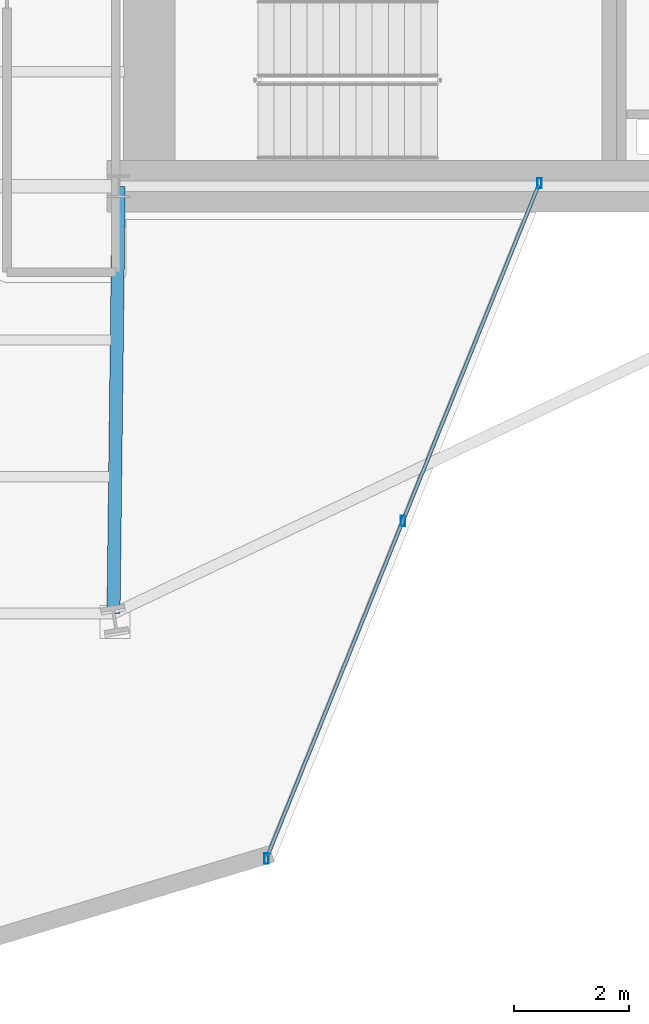
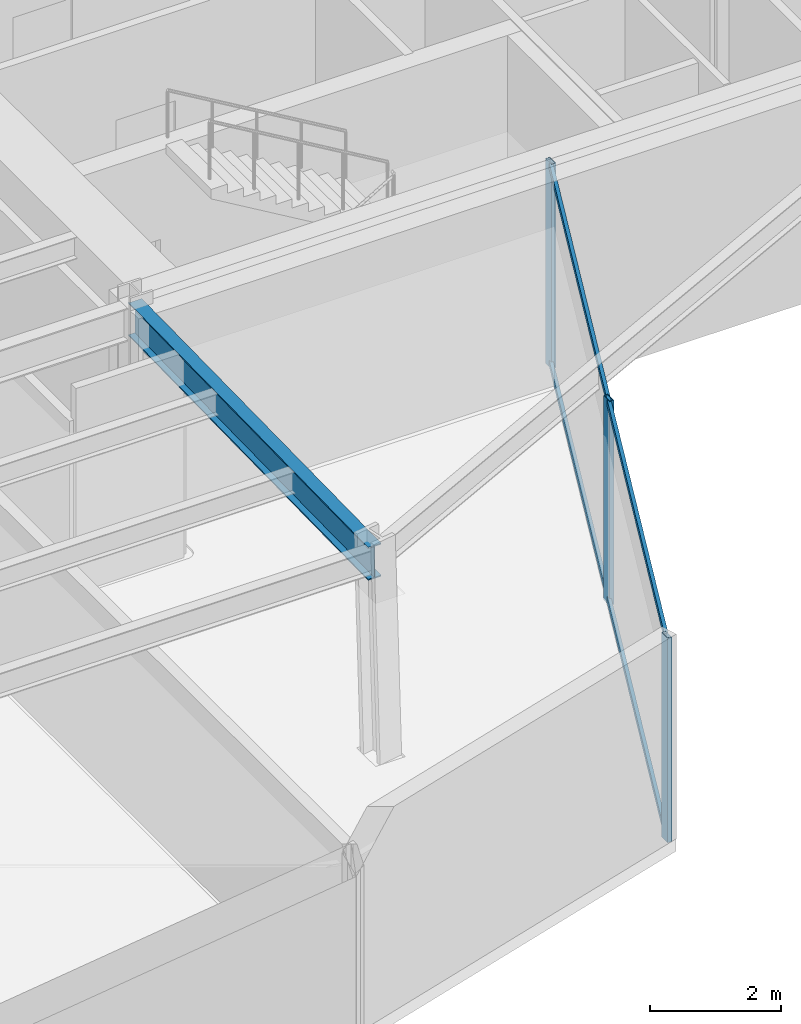
# One storey, part 14 of 31: 5 members, 1 beam, 1 element without a shape of its own.
"""IFC4 building model written with IfcOpenShell, lengths in metres."""

import ifcopenshell
import ifcopenshell.guid

model = None  # the IFC model being written
_history = None  # IfcOwnerHistory: only IFC2X3 demands one
_inside = {}  # id of a spatial element -> (the spatial element, [elements in it])
_under = {}  # id of a project, library or spatial element -> (it, [spatial elements below it])
_declared = {}  # id of a project -> (the project, [libraries it declares])
_typed = {}  # id of a type object -> (the type object, [elements of that type])
_made_of = {}  # id of a material, layer set ... -> (it, [elements and type objects made of it])


def new_model(schema):
    """Start an empty IFC model of exactly this schema.

    Asked for "IFC4X3", IfcOpenShell would pick the latest addendum, in which some entities
    have other attributes; the version numbers below select the first issue.
    IFC2X3 requires an IfcOwnerHistory on every rooted entity: one is made here for all.
    """
    global model, _history
    if schema == "IFC4X3":
        model = ifcopenshell.file(schema_version=(4, 3, 0, 0))
    else:
        model = ifcopenshell.file(schema=schema)
    _inside.clear()
    _under.clear()
    _declared.clear()
    _typed.clear()
    _made_of.clear()
    _history = None
    if model.schema == "IFC2X3":
        org = make("IfcOrganization", Name="unknown")
        user = make(
            "IfcPersonAndOrganization",
            ThePerson=make("IfcPerson", FamilyName="unknown"),
            TheOrganization=org,
        )
        app = make(
            "IfcApplication",
            ApplicationDeveloper=org,
            Version="unknown",
            ApplicationFullName="unknown",
            ApplicationIdentifier="unknown",
        )
        _history = make(
            "IfcOwnerHistory",
            OwningUser=user,
            OwningApplication=app,
            ChangeAction="ADDED",
            CreationDate=0,
        )
    return model


def make(cls, **values):
    """One entity of the class cls with the attributes given. An attribute that is None is left unset."""
    return model.create_entity(
        cls, **{name: value for name, value in values.items() if value is not None}
    )


def rooted(cls, **values):
    """An entity with a GlobalId (a new one), such as an element, a storey or a relation."""
    return make(cls, GlobalId=ifcopenshell.guid.new(), OwnerHistory=_history, **values)


def si_unit(unit_type, name, prefix=None):
    """IfcSIUnit, for example si_unit("LENGTHUNIT", "METRE", prefix="MILLI")."""
    return make("IfcSIUnit", UnitType=unit_type, Prefix=prefix, Name=name)


def assignment(units):
    """IfcUnitAssignment: the units of a project."""
    return None if units is None else make("IfcUnitAssignment", Units=units)


def point(xyz):
    """IfcCartesianPoint."""
    return None if xyz is None else make("IfcCartesianPoint", Coordinates=xyz)


def direction(xyz):
    """IfcDirection."""
    return None if xyz is None else make("IfcDirection", DirectionRatios=xyz)


def frame(location, z_axis=None, x_axis=None):
    """IfcAxis2Placement3D, a coordinate frame: its origin and axes. An axis left out is left unset."""
    return make(
        "IfcAxis2Placement3D",
        Location=point(location),
        Axis=direction(z_axis),
        RefDirection=direction(x_axis),
    )


def frame_2d(location, x_axis=None):
    """IfcAxis2Placement2D, a coordinate frame in the plane: its origin and x axis."""
    return make(
        "IfcAxis2Placement2D", Location=point(location), RefDirection=direction(x_axis)
    )


def origin():
    """The frame at (0, 0, 0) with its axes left unset."""
    return frame((0.0, 0.0, 0.0))


def origin_2d():
    """The frame at (0, 0) in the plane with its x axis left unset."""
    return frame_2d((0.0, 0.0))


def place(relative_to, where):
    """IfcLocalPlacement: puts the frame where relative to a parent placement (None: the world)."""
    return make(
        "IfcLocalPlacement", PlacementRelTo=relative_to, RelativePlacement=where
    )


def context(
    kind, dimensions, precision=None, world=None, true_north=None, identifier=None
):
    """IfcGeometricRepresentationContext, for example the 3D "Model" context."""
    return make(
        "IfcGeometricRepresentationContext",
        ContextIdentifier=identifier,
        ContextType=kind,
        CoordinateSpaceDimension=dimensions,
        Precision=precision,
        WorldCoordinateSystem=world,
        TrueNorth=true_north,
    )


def subcontext(parent, identifier, kind, view, scale=None):
    """IfcGeometricRepresentationSubContext, for example "Body" below "Model"."""
    return make(
        "IfcGeometricRepresentationSubContext",
        ContextIdentifier=identifier,
        ContextType=kind,
        ParentContext=parent,
        TargetScale=scale,
        TargetView=view,
    )


def project(units=None, contexts=None):
    """IfcProject with its units and contexts."""
    return rooted(
        "IfcProject",
        Name="project",
        RepresentationContexts=contexts,
        UnitsInContext=assignment(units),
    )


def spatial(cls, under=None, at=None, **own):
    """A site, building, storey or space (cls), placed at a placement, below another one or the project."""
    s = rooted(cls, ObjectPlacement=at, **own)
    if under is not None:
        _under.setdefault(under.id(), (under, []))[1].append(s)
    return s


def profile(cls, at=None, kind="AREA", **sizes):
    """A parametric profile (cls). Its sizes go by their IFC names, for example OverallWidth=200.0."""
    return make(cls, ProfileType=kind, Position=at, **sizes)


def hollow_rectangle(**sizes):
    """IfcRectangleHollowProfileDef."""
    return profile("IfcRectangleHollowProfileDef", **sizes)


def i_section(**sizes):
    """IfcIShapeProfileDef."""
    return profile("IfcIShapeProfileDef", **sizes)


def extrude(swept, where, along, depth):
    """IfcExtrudedAreaSolid: the profile swept, set in the frame where, extruded along a direction by depth."""
    return make(
        "IfcExtrudedAreaSolid",
        SweptArea=swept,
        Position=where,
        ExtrudedDirection=direction(along),
        Depth=depth,
    )


def shape(context_of_items, identifier, shape_type, items):
    """IfcShapeRepresentation: the items that make up one representation, for example the "Body"."""
    return make(
        "IfcShapeRepresentation",
        ContextOfItems=context_of_items,
        RepresentationIdentifier=identifier,
        RepresentationType=shape_type,
        Items=items,
    )


def material(Name=None, Category=None):
    """IfcMaterial."""
    return make("IfcMaterial", Name=Name, Category=Category)


def layer(
    of_material, thickness, ventilated=None, Name=None, Category=None, Priority=None
):
    """IfcMaterialLayer: one layer of a wall or slab, of a material (None: an air gap)."""
    return make(
        "IfcMaterialLayer",
        Material=of_material,
        LayerThickness=thickness,
        IsVentilated=ventilated,
        Name=Name,
        Category=Category,
        Priority=Priority,
    )


def layer_set(layers, Name=None):
    """IfcMaterialLayerSet."""
    return make("IfcMaterialLayerSet", MaterialLayers=layers, LayerSetName=Name)


def material_profile(
    of_material, cross_section, Name=None, Category=None, Priority=None
):
    """IfcMaterialProfile: a cross section and its material."""
    return make(
        "IfcMaterialProfile",
        Name=Name,
        Material=of_material,
        Profile=cross_section,
        Priority=Priority,
        Category=Category,
    )


def profile_set(profiles, Name=None, composite=None):
    """IfcMaterialProfileSet."""
    return make(
        "IfcMaterialProfileSet",
        Name=Name,
        MaterialProfiles=profiles,
        CompositeProfile=composite,
    )


def made_of(thing, what):
    """Note that an element or type object is made of a material, layer set ...; save() writes the relation."""
    if what is not None:
        _made_of.setdefault(what.id(), (what, []))[1].append(thing)
    return thing


def type_object(cls, material=None, **own):
    """A type object (cls), such as IfcWallType, which elements share."""
    return made_of(rooted(cls, **own), material)


def element(
    cls,
    number,
    at=None,
    inside=None,
    cuts=None,
    type_object=None,
    material=None,
    context=None,
    identifier="Body",
    shape_type=None,
    held_by="IfcProductDefinitionShape",
    body=None,
    shapes=None,
    **own,
):
    """One element of the class cls, such as IfcWall. Its Tag is "e" and its number.

    at: its placement. inside: the storey or other place that contains it. cuts: it is an
    opening in that element (IfcRelVoidsElement). A single representation is given by context,
    identifier, shape_type and body (its items); several are given by shapes. held_by: the class
    of the entity that holds the representations. save() writes the other relations.
    """
    e = rooted(cls, Tag="e%d" % number, ObjectPlacement=at, **own)
    if body is not None:
        shapes = [shape(context, identifier, shape_type, body)]
    if shapes is not None:
        e.Representation = make(held_by, Representations=shapes)
    if inside is not None:
        _inside.setdefault(inside.id(), (inside, []))[1].append(e)
    if cuts is not None:
        rooted(
            "IfcRelVoidsElement", RelatingBuildingElement=cuts, RelatedOpeningElement=e
        )
    if type_object is not None:
        _typed.setdefault(type_object.id(), (type_object, []))[1].append(e)
    return made_of(e, material)


def aggregate(whole, parts):
    """IfcRelAggregates: a whole, such as a stair, and the parts it consists of."""
    return rooted("IfcRelAggregates", RelatingObject=whole, RelatedObjects=parts)


def save(model, path):
    """Write the relations noted so far, then the file.

    IfcRelAggregates (storeys below a building ...), IfcRelContainedInSpatialStructure (elements
    in a storey), IfcRelDefinesByType, IfcRelAssociatesMaterial and IfcRelDeclares: one each for
    every whole, place, type object, material and project.
    """
    for whole, parts in _under.values():
        aggregate(whole, parts)
    for where, things in _inside.values():
        rooted(
            "IfcRelContainedInSpatialStructure",
            RelatedElements=things,
            RelatingStructure=where,
        )
    for kind, things in _typed.values():
        rooted("IfcRelDefinesByType", RelatedObjects=things, RelatingType=kind)
    for what, things in _made_of.values():
        rooted("IfcRelAssociatesMaterial", RelatedObjects=things, RelatingMaterial=what)
    for by, libraries in _declared.values():
        rooted("IfcRelDeclares", RelatingContext=by, RelatedDefinitions=libraries)
    model.write(path)


model = new_model("IFC4")

# Units and contexts
model_context = context("Model", 3, precision=1e-05, world=origin(), true_north=direction((0.0, 1.0)))
body_context = subcontext(model_context, "Body", "Model", "MODEL_VIEW")
ifc_project = project(units=[si_unit("LENGTHUNIT", "METRE"), si_unit("AREAUNIT", "SQUARE_METRE"), si_unit("VOLUMEUNIT", "CUBIC_METRE"), si_unit("PLANEANGLEUNIT", "RADIAN"), si_unit("MASSUNIT", "GRAM", prefix="KILO")], contexts=[model_context])

# Site, building, storey
site_placement = place(None, origin())
site = spatial("IfcSite", under=ifc_project, at=site_placement, CompositionType="ELEMENT")
building_placement = place(site_placement, origin())
building = spatial("IfcBuilding", under=site, at=building_placement, Name="Veymaron Broadcast Tower", CompositionType="ELEMENT")
storey_placement = place(building_placement, frame((0.0, 0.0, 70.199951171875)))
storey = spatial("IfcBuildingStorey", under=building, at=storey_placement, Name="L15", CompositionType="ELEMENT", Elevation=70.199951171875)

# Beam
ifc_material_1 = material(Name="Structural steel ASTM A992 Gr 50", Category="steel")
ifc_material_profile_1 = material_profile(ifc_material_1, i_section(OverallWidth=0.22998046875, OverallDepth=0.616943359375, WebThickness=0.01318359375, FlangeThickness=0.022216796875, at=origin_2d()), Name="W610X140")
ifc_profile_set_1 = profile_set([ifc_material_profile_1], Name="Structural steel ASTM A992 Gr 50")
beam_type = type_object("IfcBeamType", Name="BM-FG1", PredefinedType="BEAM", material=ifc_profile_set_1)
beam_placement = place(storey_placement, frame((39.0, 16.0, 3.50146484375), z_axis=(-0.012075307518, -0.999927090816, 0.0), x_axis=(0.999927090816, -0.012075307518, 0.0)))
element("IfcBeam", 1, at=beam_placement, inside=storey, type_object=beam_type, Name="L15 primary structural floor girder", PredefinedType="BEAM", context=body_context, shape_type="SweptSolid", body=[
    extrude(i_section(OverallWidth=0.22998046875, OverallDepth=0.616943359375, WebThickness=0.01318359375, FlangeThickness=0.022216796875, at=origin_2d()), origin(), (0.0, 0.0, 1.0), 7.46044921875),
])

# Curtain wall, members
ifc_material_2 = material(Name="Anodised aluminium AA 6063-T6 and laminated low-E dark glass", Category="aluminium")
ifc_layer = layer(ifc_material_2, 0.179931640625)
ifc_layer_set = layer_set([ifc_layer], Name="Anodised aluminium AA 6063-T6 and laminated low-E dark glass")
curtain_wall_type = type_object("IfcCurtainWallType", Name="CW-SYS-02", PredefinedType="NOTDEFINED", material=ifc_layer_set)
curtain_wall_placement = place(storey_placement, origin())
curtain_wall = element("IfcCurtainWall", 2, at=curtain_wall_placement, inside=storey, type_object=curtain_wall_type, Name="L15 dark-glass curtain wall CW-L15-E20-1", PredefinedType="NOTDEFINED")
ifc_material_3 = material(Name="Anodised aluminium AA 6063-T6", Category="aluminium")
ifc_material_profile_2 = material_profile(ifc_material_3, hollow_rectangle(XDim=0.074951171875, YDim=0.179931640625, WallThickness=0.0048828125, at=origin_2d()), Name="AL180X75X5")
ifc_profile_set_2 = profile_set([ifc_material_profile_2], Name="Anodised aluminium AA 6063-T6")
member_type_1 = type_object("IfcMemberType", Name="CW-MUL-02", PredefinedType="MULLION", material=ifc_profile_set_2)
member_1_placement = place(storey_placement, frame((41.580322265625, 4.258544921875, 0.0), z_axis=(0.0, 0.0, 1.0), x_axis=(1.0, 0.0, 0.0)))
member_1 = element("IfcMember", 3, at=member_1_placement, type_object=member_type_1, Name="CW-L15-E20-1 mullion 0", PredefinedType="MULLION", context=body_context, shape_type="SweptSolid", body=[
    extrude(hollow_rectangle(XDim=0.074951171875, YDim=0.179931640625, WallThickness=0.0048828125, at=origin_2d()), origin(), (0.0, 0.0, 1.0), 3.81005859375),
])
member_2_placement = place(storey_placement, frame((43.963623046875, 10.155517578125, 0.0), z_axis=(0.0, 0.0, 1.0), x_axis=(1.0, 0.0, 0.0)))
member_2 = element("IfcMember", 4, at=member_2_placement, type_object=member_type_1, Name="CW-L15-E20-1 mullion 1", PredefinedType="MULLION", context=body_context, shape_type="SweptSolid", body=[
    extrude(hollow_rectangle(XDim=0.074951171875, YDim=0.179931640625, WallThickness=0.0048828125, at=origin_2d()), origin(), (0.0, 0.0, 1.0), 3.81005859375),
])
member_3_placement = place(storey_placement, frame((46.346923828125, 16.052490234375, 0.0), z_axis=(0.0, 0.0, 1.0), x_axis=(1.0, 0.0, 0.0)))
member_3 = element("IfcMember", 5, at=member_3_placement, type_object=member_type_1, Name="CW-L15-E20-1 mullion 2", PredefinedType="MULLION", context=body_context, shape_type="SweptSolid", body=[
    extrude(hollow_rectangle(XDim=0.074951171875, YDim=0.179931640625, WallThickness=0.0048828125, at=origin_2d()), origin(), (0.0, 0.0, 1.0), 3.81005859375),
])
ifc_material_profile_3 = material_profile(ifc_material_3, hollow_rectangle(XDim=0.06005859375, YDim=0.1201171875, WallThickness=0.00390625, at=origin_2d()), Name="AL120X60X4")
ifc_profile_set_3 = profile_set([ifc_material_profile_3], Name="Anodised aluminium AA 6063-T6")
member_type_2 = type_object("IfcMemberType", Name="CW-TRN-02", PredefinedType="USERDEFINED", material=ifc_profile_set_3)
member_4_placement = place(storey_placement, frame((41.59912109375, 4.304931640625, 0.070068359375), z_axis=(0.374703561178, 0.927144671149, 0.0), x_axis=(-0.927144671149, 0.374703561178, 0.0)))
member_4 = element("IfcMember", 6, at=member_4_placement, type_object=member_type_2, Name="CW-L15-E20-1 transom B", ObjectType="TRANSOM", PredefinedType="USERDEFINED", context=body_context, shape_type="SweptSolid", body=[
    extrude(hollow_rectangle(XDim=0.06005859375, YDim=0.1201171875, WallThickness=0.00390625, at=origin_2d()), origin(), (0.0, 0.0, 1.0), 12.62060546875),
])
member_5_placement = place(storey_placement, frame((41.59912109375, 4.304931640625, 3.739990234375), z_axis=(0.374703561178, 0.927144671149, 0.0), x_axis=(-0.927144671149, 0.374703561178, 0.0)))
member_5 = element("IfcMember", 7, at=member_5_placement, type_object=member_type_2, Name="CW-L15-E20-1 transom T", ObjectType="TRANSOM", PredefinedType="USERDEFINED", context=body_context, shape_type="SweptSolid", body=[
    extrude(hollow_rectangle(XDim=0.06005859375, YDim=0.1201171875, WallThickness=0.00390625, at=origin_2d()), origin(), (0.0, 0.0, 1.0), 12.62060546875),
])
aggregate(curtain_wall, [member_1, member_2, member_3, member_4, member_5])

save(model, "model.ifc")
